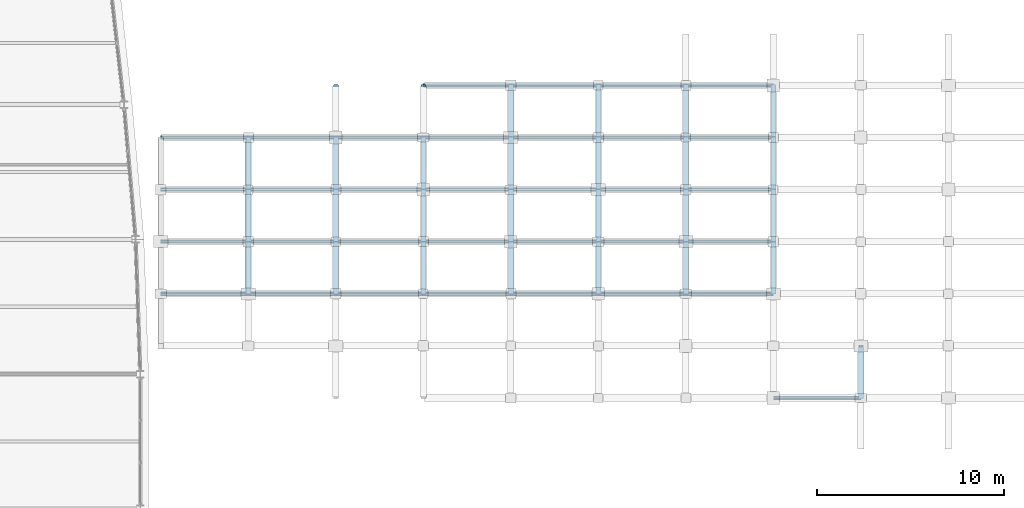
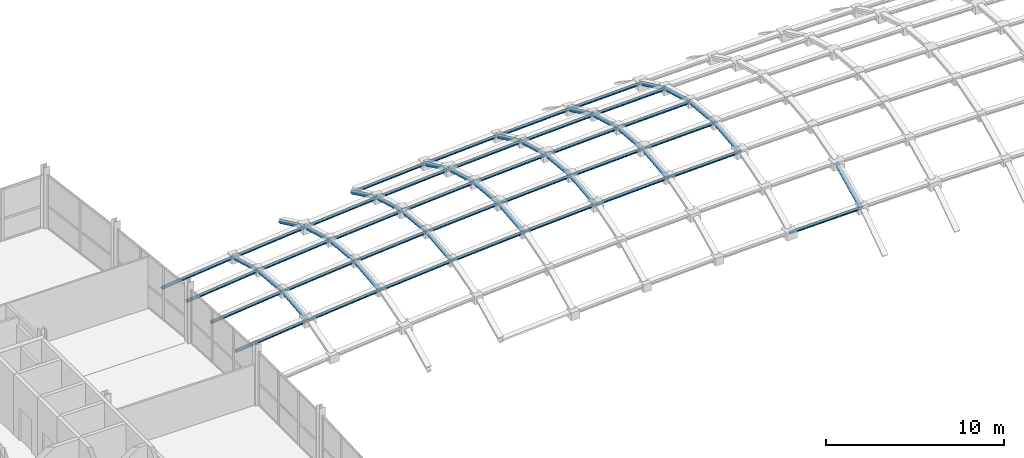
# One storey, part 17 of 36: 33 members, 28 beams.
"""IFC4 building model written with IfcOpenShell, lengths in metres."""

from ifc_helpers import new_model, si_unit, direction, frame, origin, origin_2d, place, context, subcontext, project, spatial, hollow_circle, extrude, material, material_profile, profile_set, type_object, element, save


model = new_model("IFC4")

# Units and contexts
model_context = context("Model", 3, precision=1e-05, world=origin(), true_north=direction((0.0, 1.0)))
body_context = subcontext(model_context, "Body", "Model", "MODEL_VIEW")
ifc_project = project(units=[si_unit("LENGTHUNIT", "METRE"), si_unit("AREAUNIT", "SQUARE_METRE"), si_unit("VOLUMEUNIT", "CUBIC_METRE"), si_unit("PLANEANGLEUNIT", "RADIAN"), si_unit("MASSUNIT", "GRAM", prefix="KILO")], contexts=[model_context])

# Site, building, storey
site_placement = place(None, origin())
site = spatial("IfcSite", under=ifc_project, at=site_placement, CompositionType="ELEMENT")
building_placement = place(site_placement, origin())
building = spatial("IfcBuilding", under=site, at=building_placement, Name="Quillay Park Conservatory", CompositionType="ELEMENT")
storey_placement = place(building_placement, frame((0.0, 0.0, 18.300048828125)))
storey = spatial("IfcBuildingStorey", under=building, at=storey_placement, Name="L04", CompositionType="ELEMENT", Elevation=18.300048828125)

# Beams
ifc_material_1 = material(Name="Steel S355J2H", Category="steel")
ifc_material_profile_1 = material_profile(ifc_material_1, hollow_circle(Radius=0.136474609375, WallThickness=0.012451171875, at=origin_2d()), Name="CHS273x12.5")
ifc_profile_set_1 = profile_set([ifc_material_profile_1], Name="Steel S355J2H")
beam_type = type_object("IfcBeamType", Name="GRIDSHELL ARCH BEAM CHS273", PredefinedType="USERDEFINED", material=ifc_profile_set_1)
beam_1_placement = place(storey_placement, frame((35.327880859375, 96.68994140625, 1.12060546875), z_axis=(0.0, 0.99451309317, 0.104612176701), x_axis=(-1.0, 0.0, 0.0)))
element("IfcBeam", 1, at=beam_1_placement, inside=storey, type_object=beam_type, Name="Gridshell member GS-ARCH-01-04", ObjectType="GRIDSHELL ARCH BEAM", PredefinedType="USERDEFINED", context=body_context, shape_type="SweptSolid", body=[
    extrude(hollow_circle(Radius=0.136474609375, WallThickness=0.012451171875, at=origin_2d()), origin(), (0.0, 0.0, 1.0), 2.800537109375),
])
beam_2_placement = place(storey_placement, frame((35.327880859375, 99.47509765625, 1.41357421875), z_axis=(0.0, 0.996118373088, -0.088023785401), x_axis=(-1.0, 0.0, 0.0)))
element("IfcBeam", 2, at=beam_2_placement, inside=storey, type_object=beam_type, Name="Gridshell member GS-ARCH-01-05", ObjectType="GRIDSHELL ARCH BEAM", PredefinedType="USERDEFINED", context=body_context, shape_type="SweptSolid", body=[
    extrude(hollow_circle(Radius=0.136474609375, WallThickness=0.012451171875, at=origin_2d()), origin(), (0.0, 0.0, 1.0), 2.795654296875),
])
beam_3_placement = place(storey_placement, frame((35.327880859375, 102.260009765625, 1.16748046875), z_axis=(0.0, 0.962831532331, -0.2701026478), x_axis=(-1.0, 0.0, 0.0)))
element("IfcBeam", 3, at=beam_3_placement, inside=storey, type_object=beam_type, Name="Gridshell member GS-ARCH-01-06", ObjectType="GRIDSHELL ARCH BEAM", PredefinedType="USERDEFINED", context=body_context, shape_type="SweptSolid", body=[
    extrude(hollow_circle(Radius=0.136474609375, WallThickness=0.012451171875, at=origin_2d()), origin(), (0.0, 0.0, 1.0), 2.892333984375),
])
beam_4_placement = place(storey_placement, frame((40.005615234375, 96.68994140625, 1.55810546875), z_axis=(0.0, 0.99451309317, 0.104612176701), x_axis=(-1.0, 0.0, 0.0)))
element("IfcBeam", 4, at=beam_4_placement, inside=storey, type_object=beam_type, Name="Gridshell member GS-ARCH-02-04", ObjectType="GRIDSHELL ARCH BEAM", PredefinedType="USERDEFINED", context=body_context, shape_type="SweptSolid", body=[
    extrude(hollow_circle(Radius=0.136474609375, WallThickness=0.012451171875, at=origin_2d()), origin(), (0.0, 0.0, 1.0), 2.800537109375),
])
beam_5_placement = place(storey_placement, frame((40.005615234375, 99.47509765625, 1.85107421875), z_axis=(0.0, 0.996118373088, -0.088023785401), x_axis=(-1.0, 0.0, 0.0)))
element("IfcBeam", 5, at=beam_5_placement, inside=storey, type_object=beam_type, Name="Gridshell member GS-ARCH-02-05", ObjectType="GRIDSHELL ARCH BEAM", PredefinedType="USERDEFINED", context=body_context, shape_type="SweptSolid", body=[
    extrude(hollow_circle(Radius=0.136474609375, WallThickness=0.012451171875, at=origin_2d()), origin(), (0.0, 0.0, 1.0), 2.795654296875),
])
beam_6_placement = place(storey_placement, frame((40.005615234375, 102.260009765625, 1.60498046875), z_axis=(0.0, 0.962831532331, -0.2701026478), x_axis=(-1.0, 0.0, 0.0)))
element("IfcBeam", 6, at=beam_6_placement, inside=storey, type_object=beam_type, Name="Gridshell member GS-ARCH-02-06", ObjectType="GRIDSHELL ARCH BEAM", PredefinedType="USERDEFINED", context=body_context, shape_type="SweptSolid", body=[
    extrude(hollow_circle(Radius=0.136474609375, WallThickness=0.012451171875, at=origin_2d()), origin(), (0.0, 0.0, 1.0), 2.892333984375),
])
beam_7_placement = place(storey_placement, frame((40.005615234375, 105.044921875, 0.82373046875), z_axis=(0.0, 0.903117900184, -0.429392662219), x_axis=(-1.0, 0.0, 0.0)))
element("IfcBeam", 7, at=beam_7_placement, inside=storey, type_object=beam_type, Name="Gridshell member GS-ARCH-02-07", ObjectType="GRIDSHELL ARCH BEAM", PredefinedType="USERDEFINED", context=body_context, shape_type="SweptSolid", body=[
    extrude(hollow_circle(Radius=0.136474609375, WallThickness=0.012451171875, at=origin_2d()), origin(), (0.0, 0.0, 1.0), 3.083984375),
])
beam_8_placement = place(storey_placement, frame((44.683349609375, 96.68994140625, 1.93701171875), z_axis=(0.0, 0.99451309317, 0.104612176701), x_axis=(-1.0, 0.0, 0.0)))
element("IfcBeam", 8, at=beam_8_placement, inside=storey, type_object=beam_type, Name="Gridshell member GS-ARCH-03-04", ObjectType="GRIDSHELL ARCH BEAM", PredefinedType="USERDEFINED", context=body_context, shape_type="SweptSolid", body=[
    extrude(hollow_circle(Radius=0.136474609375, WallThickness=0.012451171875, at=origin_2d()), origin(), (0.0, 0.0, 1.0), 2.800537109375),
])
beam_9_placement = place(storey_placement, frame((44.683349609375, 99.47509765625, 2.22998046875), z_axis=(0.0, 0.996118373088, -0.088023785401), x_axis=(-1.0, 0.0, 0.0)))
element("IfcBeam", 9, at=beam_9_placement, inside=storey, type_object=beam_type, Name="Gridshell member GS-ARCH-03-05", ObjectType="GRIDSHELL ARCH BEAM", PredefinedType="USERDEFINED", context=body_context, shape_type="SweptSolid", body=[
    extrude(hollow_circle(Radius=0.136474609375, WallThickness=0.012451171875, at=origin_2d()), origin(), (0.0, 0.0, 1.0), 2.795654296875),
])
beam_10_placement = place(storey_placement, frame((44.683349609375, 102.260009765625, 1.98388671875), z_axis=(0.0, 0.962831532331, -0.2701026478), x_axis=(-1.0, 0.0, 0.0)))
element("IfcBeam", 10, at=beam_10_placement, inside=storey, type_object=beam_type, Name="Gridshell member GS-ARCH-03-06", ObjectType="GRIDSHELL ARCH BEAM", PredefinedType="USERDEFINED", context=body_context, shape_type="SweptSolid", body=[
    extrude(hollow_circle(Radius=0.136474609375, WallThickness=0.012451171875, at=origin_2d()), origin(), (0.0, 0.0, 1.0), 2.892333984375),
])
beam_11_placement = place(storey_placement, frame((44.683349609375, 105.044921875, 1.20263671875), z_axis=(0.0, 0.903117900184, -0.429392662219), x_axis=(-1.0, 0.0, 0.0)))
element("IfcBeam", 11, at=beam_11_placement, inside=storey, type_object=beam_type, Name="Gridshell member GS-ARCH-03-07", ObjectType="GRIDSHELL ARCH BEAM", PredefinedType="USERDEFINED", context=body_context, shape_type="SweptSolid", body=[
    extrude(hollow_circle(Radius=0.136474609375, WallThickness=0.012451171875, at=origin_2d()), origin(), (0.0, 0.0, 1.0), 3.083984375),
])
beam_12_placement = place(storey_placement, frame((49.361083984375, 96.68994140625, 2.25732421875), z_axis=(0.0, 0.99451309317, 0.104612176701), x_axis=(-1.0, 0.0, 0.0)))
element("IfcBeam", 12, at=beam_12_placement, inside=storey, type_object=beam_type, Name="Gridshell member GS-ARCH-04-04", ObjectType="GRIDSHELL ARCH BEAM", PredefinedType="USERDEFINED", context=body_context, shape_type="SweptSolid", body=[
    extrude(hollow_circle(Radius=0.136474609375, WallThickness=0.012451171875, at=origin_2d()), origin(), (0.0, 0.0, 1.0), 2.800537109375),
])
beam_13_placement = place(storey_placement, frame((49.361083984375, 99.47509765625, 2.55029296875), z_axis=(0.0, 0.996118373088, -0.088023785401), x_axis=(-1.0, 0.0, 0.0)))
element("IfcBeam", 13, at=beam_13_placement, inside=storey, type_object=beam_type, Name="Gridshell member GS-ARCH-04-05", ObjectType="GRIDSHELL ARCH BEAM", PredefinedType="USERDEFINED", context=body_context, shape_type="SweptSolid", body=[
    extrude(hollow_circle(Radius=0.136474609375, WallThickness=0.012451171875, at=origin_2d()), origin(), (0.0, 0.0, 1.0), 2.795654296875),
])
beam_14_placement = place(storey_placement, frame((49.361083984375, 102.260009765625, 2.30419921875), z_axis=(0.0, 0.962831532331, -0.2701026478), x_axis=(-1.0, 0.0, 0.0)))
element("IfcBeam", 14, at=beam_14_placement, inside=storey, type_object=beam_type, Name="Gridshell member GS-ARCH-04-06", ObjectType="GRIDSHELL ARCH BEAM", PredefinedType="USERDEFINED", context=body_context, shape_type="SweptSolid", body=[
    extrude(hollow_circle(Radius=0.136474609375, WallThickness=0.012451171875, at=origin_2d()), origin(), (0.0, 0.0, 1.0), 2.892333984375),
])
beam_15_placement = place(storey_placement, frame((49.361083984375, 105.044921875, 1.52294921875), z_axis=(0.0, 0.903117900184, -0.429392662219), x_axis=(-1.0, 0.0, 0.0)))
element("IfcBeam", 15, at=beam_15_placement, inside=storey, type_object=beam_type, Name="Gridshell member GS-ARCH-04-07", ObjectType="GRIDSHELL ARCH BEAM", PredefinedType="USERDEFINED", context=body_context, shape_type="SweptSolid", body=[
    extrude(hollow_circle(Radius=0.136474609375, WallThickness=0.012451171875, at=origin_2d()), origin(), (0.0, 0.0, 1.0), 3.083984375),
])
beam_16_placement = place(storey_placement, frame((54.038818359375, 96.68994140625, 2.51904296875), z_axis=(0.0, 0.99451309317, 0.104612176701), x_axis=(-1.0, 0.0, 0.0)))
element("IfcBeam", 16, at=beam_16_placement, inside=storey, type_object=beam_type, Name="Gridshell member GS-ARCH-05-04", ObjectType="GRIDSHELL ARCH BEAM", PredefinedType="USERDEFINED", context=body_context, shape_type="SweptSolid", body=[
    extrude(hollow_circle(Radius=0.136474609375, WallThickness=0.012451171875, at=origin_2d()), origin(), (0.0, 0.0, 1.0), 2.800537109375),
])
beam_17_placement = place(storey_placement, frame((54.038818359375, 99.47509765625, 2.81201171875), z_axis=(0.0, 0.996118373088, -0.088023785401), x_axis=(-1.0, 0.0, 0.0)))
element("IfcBeam", 17, at=beam_17_placement, inside=storey, type_object=beam_type, Name="Gridshell member GS-ARCH-05-05", ObjectType="GRIDSHELL ARCH BEAM", PredefinedType="USERDEFINED", context=body_context, shape_type="SweptSolid", body=[
    extrude(hollow_circle(Radius=0.136474609375, WallThickness=0.012451171875, at=origin_2d()), origin(), (0.0, 0.0, 1.0), 2.795654296875),
])
beam_18_placement = place(storey_placement, frame((54.038818359375, 102.260009765625, 2.56591796875), z_axis=(0.0, 0.962831532331, -0.2701026478), x_axis=(-1.0, 0.0, 0.0)))
element("IfcBeam", 18, at=beam_18_placement, inside=storey, type_object=beam_type, Name="Gridshell member GS-ARCH-05-06", ObjectType="GRIDSHELL ARCH BEAM", PredefinedType="USERDEFINED", context=body_context, shape_type="SweptSolid", body=[
    extrude(hollow_circle(Radius=0.136474609375, WallThickness=0.012451171875, at=origin_2d()), origin(), (0.0, 0.0, 1.0), 2.892333984375),
])
beam_19_placement = place(storey_placement, frame((54.038818359375, 105.044921875, 1.78466796875), z_axis=(0.0, 0.903117900184, -0.429392662219), x_axis=(-1.0, 0.0, 0.0)))
element("IfcBeam", 19, at=beam_19_placement, inside=storey, type_object=beam_type, Name="Gridshell member GS-ARCH-05-07", ObjectType="GRIDSHELL ARCH BEAM", PredefinedType="USERDEFINED", context=body_context, shape_type="SweptSolid", body=[
    extrude(hollow_circle(Radius=0.136474609375, WallThickness=0.012451171875, at=origin_2d()), origin(), (0.0, 0.0, 1.0), 3.083984375),
])
beam_20_placement = place(storey_placement, frame((58.716796875, 96.68994140625, 2.72216796875), z_axis=(0.0, 0.99451309317, 0.104612176701), x_axis=(-1.0, 0.0, 0.0)))
element("IfcBeam", 20, at=beam_20_placement, inside=storey, type_object=beam_type, Name="Gridshell member GS-ARCH-06-04", ObjectType="GRIDSHELL ARCH BEAM", PredefinedType="USERDEFINED", context=body_context, shape_type="SweptSolid", body=[
    extrude(hollow_circle(Radius=0.136474609375, WallThickness=0.012451171875, at=origin_2d()), origin(), (0.0, 0.0, 1.0), 2.800537109375),
])
beam_21_placement = place(storey_placement, frame((58.716796875, 99.47509765625, 3.01513671875), z_axis=(0.0, 0.996118373088, -0.088023785401), x_axis=(-1.0, 0.0, 0.0)))
element("IfcBeam", 21, at=beam_21_placement, inside=storey, type_object=beam_type, Name="Gridshell member GS-ARCH-06-05", ObjectType="GRIDSHELL ARCH BEAM", PredefinedType="USERDEFINED", context=body_context, shape_type="SweptSolid", body=[
    extrude(hollow_circle(Radius=0.136474609375, WallThickness=0.012451171875, at=origin_2d()), origin(), (0.0, 0.0, 1.0), 2.795654296875),
])
beam_22_placement = place(storey_placement, frame((58.716796875, 102.260009765625, 2.76904296875), z_axis=(0.0, 0.962831532331, -0.2701026478), x_axis=(-1.0, 0.0, 0.0)))
element("IfcBeam", 22, at=beam_22_placement, inside=storey, type_object=beam_type, Name="Gridshell member GS-ARCH-06-06", ObjectType="GRIDSHELL ARCH BEAM", PredefinedType="USERDEFINED", context=body_context, shape_type="SweptSolid", body=[
    extrude(hollow_circle(Radius=0.136474609375, WallThickness=0.012451171875, at=origin_2d()), origin(), (0.0, 0.0, 1.0), 2.892333984375),
])
beam_23_placement = place(storey_placement, frame((58.716796875, 105.044921875, 1.98779296875), z_axis=(0.0, 0.903117900184, -0.429392662219), x_axis=(-1.0, 0.0, 0.0)))
element("IfcBeam", 23, at=beam_23_placement, inside=storey, type_object=beam_type, Name="Gridshell member GS-ARCH-06-07", ObjectType="GRIDSHELL ARCH BEAM", PredefinedType="USERDEFINED", context=body_context, shape_type="SweptSolid", body=[
    extrude(hollow_circle(Radius=0.136474609375, WallThickness=0.012451171875, at=origin_2d()), origin(), (0.0, 0.0, 1.0), 3.083984375),
])
beam_24_placement = place(storey_placement, frame((63.394287109375, 96.68994140625, 2.87060546875), z_axis=(0.0, 0.99451309317, 0.104612176701), x_axis=(-1.0, 0.0, 0.0)))
element("IfcBeam", 24, at=beam_24_placement, inside=storey, type_object=beam_type, Name="Gridshell member GS-ARCH-07-04", ObjectType="GRIDSHELL ARCH BEAM", PredefinedType="USERDEFINED", context=body_context, shape_type="SweptSolid", body=[
    extrude(hollow_circle(Radius=0.136474609375, WallThickness=0.012451171875, at=origin_2d()), origin(), (0.0, 0.0, 1.0), 2.800537109375),
])
beam_25_placement = place(storey_placement, frame((63.394287109375, 99.47509765625, 3.16357421875), z_axis=(0.0, 0.996118373088, -0.088023785401), x_axis=(-1.0, 0.0, 0.0)))
element("IfcBeam", 25, at=beam_25_placement, inside=storey, type_object=beam_type, Name="Gridshell member GS-ARCH-07-05", ObjectType="GRIDSHELL ARCH BEAM", PredefinedType="USERDEFINED", context=body_context, shape_type="SweptSolid", body=[
    extrude(hollow_circle(Radius=0.136474609375, WallThickness=0.012451171875, at=origin_2d()), origin(), (0.0, 0.0, 1.0), 2.795654296875),
])
beam_26_placement = place(storey_placement, frame((63.394287109375, 102.260009765625, 2.91748046875), z_axis=(0.0, 0.962831532331, -0.2701026478), x_axis=(-1.0, 0.0, 0.0)))
element("IfcBeam", 26, at=beam_26_placement, inside=storey, type_object=beam_type, Name="Gridshell member GS-ARCH-07-06", ObjectType="GRIDSHELL ARCH BEAM", PredefinedType="USERDEFINED", context=body_context, shape_type="SweptSolid", body=[
    extrude(hollow_circle(Radius=0.136474609375, WallThickness=0.012451171875, at=origin_2d()), origin(), (0.0, 0.0, 1.0), 2.892333984375),
])
beam_27_placement = place(storey_placement, frame((63.394287109375, 105.044921875, 2.13623046875), z_axis=(0.0, 0.903117900184, -0.429392662219), x_axis=(-1.0, 0.0, 0.0)))
element("IfcBeam", 27, at=beam_27_placement, inside=storey, type_object=beam_type, Name="Gridshell member GS-ARCH-07-07", ObjectType="GRIDSHELL ARCH BEAM", PredefinedType="USERDEFINED", context=body_context, shape_type="SweptSolid", body=[
    extrude(hollow_circle(Radius=0.136474609375, WallThickness=0.012451171875, at=origin_2d()), origin(), (0.0, 0.0, 1.0), 3.083984375),
])
beam_28_placement = place(storey_placement, frame((68.072265625, 91.1201171875, 0.75341796875), z_axis=(0.0, 0.897163004175, 0.441699608262), x_axis=(-1.0, 0.0, 0.0)))
element("IfcBeam", 28, at=beam_28_placement, inside=storey, type_object=beam_type, Name="Gridshell member GS-ARCH-08-02", ObjectType="GRIDSHELL ARCH BEAM", PredefinedType="USERDEFINED", context=body_context, shape_type="SweptSolid", body=[
    extrude(hollow_circle(Radius=0.136474609375, WallThickness=0.012451171875, at=origin_2d()), origin(), (0.0, 0.0, 1.0), 3.104248046875),
])

# Members
ifc_material_2 = material(Name="Steel S355J2H", Category="steel")
ifc_material_profile_2 = material_profile(ifc_material_2, hollow_circle(Radius=0.109619140625, WallThickness=0.010009765625, at=origin_2d()), Name="CHS219.1x10")
ifc_profile_set_2 = profile_set([ifc_material_profile_2], Name="Steel S355J2H")
member_type = type_object("IfcMemberType", Name="GRIDSHELL ARCH RIB CHS219", PredefinedType="USERDEFINED", material=ifc_profile_set_2)
member_1_placement = place(storey_placement, frame((63.394287109375, 91.1201171875, 0.66748046875), z_axis=(0.999831302331, 0.0, 0.018367549628), x_axis=(0.0, 1.0, 0.0)))
element("IfcMember", 29, at=member_1_placement, inside=storey, type_object=member_type, Name="Gridshell member GS-RIB-07-02", ObjectType="GRIDSHELL ARCH RIB", PredefinedType="USERDEFINED", context=body_context, shape_type="SweptSolid", body=[
    extrude(hollow_circle(Radius=0.109619140625, WallThickness=0.010009765625, at=origin_2d()), origin(), (0.0, 0.0, 1.0), 4.6787109375),
])
member_2_placement = place(storey_placement, frame((30.64990234375, 96.68994140625, 0.62451171875), z_axis=(0.994423821707, 0.0, 0.105457398137), x_axis=(0.0, 1.0, 0.0)))
element("IfcMember", 30, at=member_2_placement, inside=storey, type_object=member_type, Name="Gridshell member GS-RIB-00-04", ObjectType="GRIDSHELL ARCH RIB", PredefinedType="USERDEFINED", context=body_context, shape_type="SweptSolid", body=[
    extrude(hollow_circle(Radius=0.109619140625, WallThickness=0.010009765625, at=origin_2d()), origin(), (0.0, 0.0, 1.0), 4.7041015625),
])
member_3_placement = place(storey_placement, frame((35.327880859375, 96.68994140625, 1.12060546875), z_axis=(0.995654726514, 0.0, 0.093121778179), x_axis=(0.0, 1.0, 0.0)))
element("IfcMember", 31, at=member_3_placement, inside=storey, type_object=member_type, Name="Gridshell member GS-RIB-01-04", ObjectType="GRIDSHELL ARCH RIB", PredefinedType="USERDEFINED", context=body_context, shape_type="SweptSolid", body=[
    extrude(hollow_circle(Radius=0.109619140625, WallThickness=0.010009765625, at=origin_2d()), origin(), (0.0, 0.0, 1.0), 4.6982421875),
])
member_4_placement = place(storey_placement, frame((40.005615234375, 96.68994140625, 1.55810546875), z_axis=(0.996735387311, 0.0, 0.080737647239), x_axis=(0.0, 1.0, 0.0)))
element("IfcMember", 32, at=member_4_placement, inside=storey, type_object=member_type, Name="Gridshell member GS-RIB-02-04", ObjectType="GRIDSHELL ARCH RIB", PredefinedType="USERDEFINED", context=body_context, shape_type="SweptSolid", body=[
    extrude(hollow_circle(Radius=0.109619140625, WallThickness=0.010009765625, at=origin_2d()), origin(), (0.0, 0.0, 1.0), 4.693115234375),
])
member_5_placement = place(storey_placement, frame((44.683349609375, 96.68994140625, 1.93701171875), z_axis=(0.997663732084, 0.0, 0.068316013387), x_axis=(0.0, 1.0, 0.0)))
element("IfcMember", 33, at=member_5_placement, inside=storey, type_object=member_type, Name="Gridshell member GS-RIB-03-04", ObjectType="GRIDSHELL ARCH RIB", PredefinedType="USERDEFINED", context=body_context, shape_type="SweptSolid", body=[
    extrude(hollow_circle(Radius=0.109619140625, WallThickness=0.010009765625, at=origin_2d()), origin(), (0.0, 0.0, 1.0), 4.688720703125),
])
member_6_placement = place(storey_placement, frame((49.361083984375, 96.68994140625, 2.25732421875), z_axis=(0.998438469785, 0.0, 0.055862528163), x_axis=(0.0, 1.0, 0.0)))
element("IfcMember", 34, at=member_6_placement, inside=storey, type_object=member_type, Name="Gridshell member GS-RIB-04-04", ObjectType="GRIDSHELL ARCH RIB", PredefinedType="USERDEFINED", context=body_context, shape_type="SweptSolid", body=[
    extrude(hollow_circle(Radius=0.109619140625, WallThickness=0.010009765625, at=origin_2d()), origin(), (0.0, 0.0, 1.0), 4.68505859375),
])
member_7_placement = place(storey_placement, frame((54.038818359375, 96.68994140625, 2.51904296875), z_axis=(0.999058616198, 0.0, 0.043380656995), x_axis=(0.0, 1.0, 0.0)))
element("IfcMember", 35, at=member_7_placement, inside=storey, type_object=member_type, Name="Gridshell member GS-RIB-05-04", ObjectType="GRIDSHELL ARCH RIB", PredefinedType="USERDEFINED", context=body_context, shape_type="SweptSolid", body=[
    extrude(hollow_circle(Radius=0.109619140625, WallThickness=0.010009765625, at=origin_2d()), origin(), (0.0, 0.0, 1.0), 4.682373046875),
])
member_8_placement = place(storey_placement, frame((58.716796875, 96.68994140625, 2.72216796875), z_axis=(0.99949684289, 0.0, 0.031718465498), x_axis=(0.0, 1.0, 0.0)))
element("IfcMember", 36, at=member_8_placement, inside=storey, type_object=member_type, Name="Gridshell member GS-RIB-06-04", ObjectType="GRIDSHELL ARCH RIB", PredefinedType="USERDEFINED", context=body_context, shape_type="SweptSolid", body=[
    extrude(hollow_circle(Radius=0.109619140625, WallThickness=0.010009765625, at=origin_2d()), origin(), (0.0, 0.0, 1.0), 4.679931640625),
])
member_9_placement = place(storey_placement, frame((30.64990234375, 99.47509765625, 0.91748046875), z_axis=(0.994423821707, 0.0, 0.105457398137), x_axis=(0.0, 1.0, 0.0)))
element("IfcMember", 37, at=member_9_placement, inside=storey, type_object=member_type, Name="Gridshell member GS-RIB-00-05", ObjectType="GRIDSHELL ARCH RIB", PredefinedType="USERDEFINED", context=body_context, shape_type="SweptSolid", body=[
    extrude(hollow_circle(Radius=0.109619140625, WallThickness=0.010009765625, at=origin_2d()), origin(), (0.0, 0.0, 1.0), 4.7041015625),
])
member_10_placement = place(storey_placement, frame((35.327880859375, 99.47509765625, 1.41357421875), z_axis=(0.995654726514, 0.0, 0.093121778179), x_axis=(0.0, 1.0, 0.0)))
element("IfcMember", 38, at=member_10_placement, inside=storey, type_object=member_type, Name="Gridshell member GS-RIB-01-05", ObjectType="GRIDSHELL ARCH RIB", PredefinedType="USERDEFINED", context=body_context, shape_type="SweptSolid", body=[
    extrude(hollow_circle(Radius=0.109619140625, WallThickness=0.010009765625, at=origin_2d()), origin(), (0.0, 0.0, 1.0), 4.6982421875),
])
member_11_placement = place(storey_placement, frame((40.005615234375, 99.47509765625, 1.85107421875), z_axis=(0.996735387311, 0.0, 0.080737647239), x_axis=(0.0, 1.0, 0.0)))
element("IfcMember", 39, at=member_11_placement, inside=storey, type_object=member_type, Name="Gridshell member GS-RIB-02-05", ObjectType="GRIDSHELL ARCH RIB", PredefinedType="USERDEFINED", context=body_context, shape_type="SweptSolid", body=[
    extrude(hollow_circle(Radius=0.109619140625, WallThickness=0.010009765625, at=origin_2d()), origin(), (0.0, 0.0, 1.0), 4.693115234375),
])
member_12_placement = place(storey_placement, frame((44.683349609375, 99.47509765625, 2.22998046875), z_axis=(0.997663732084, 0.0, 0.068316013387), x_axis=(0.0, 1.0, 0.0)))
element("IfcMember", 40, at=member_12_placement, inside=storey, type_object=member_type, Name="Gridshell member GS-RIB-03-05", ObjectType="GRIDSHELL ARCH RIB", PredefinedType="USERDEFINED", context=body_context, shape_type="SweptSolid", body=[
    extrude(hollow_circle(Radius=0.109619140625, WallThickness=0.010009765625, at=origin_2d()), origin(), (0.0, 0.0, 1.0), 4.688720703125),
])
member_13_placement = place(storey_placement, frame((49.361083984375, 99.47509765625, 2.55029296875), z_axis=(0.998438469785, 0.0, 0.055862528163), x_axis=(0.0, 1.0, 0.0)))
element("IfcMember", 41, at=member_13_placement, inside=storey, type_object=member_type, Name="Gridshell member GS-RIB-04-05", ObjectType="GRIDSHELL ARCH RIB", PredefinedType="USERDEFINED", context=body_context, shape_type="SweptSolid", body=[
    extrude(hollow_circle(Radius=0.109619140625, WallThickness=0.010009765625, at=origin_2d()), origin(), (0.0, 0.0, 1.0), 4.68505859375),
])
member_14_placement = place(storey_placement, frame((54.038818359375, 99.47509765625, 2.81201171875), z_axis=(0.999058616198, 0.0, 0.043380656995), x_axis=(0.0, 1.0, 0.0)))
element("IfcMember", 42, at=member_14_placement, inside=storey, type_object=member_type, Name="Gridshell member GS-RIB-05-05", ObjectType="GRIDSHELL ARCH RIB", PredefinedType="USERDEFINED", context=body_context, shape_type="SweptSolid", body=[
    extrude(hollow_circle(Radius=0.109619140625, WallThickness=0.010009765625, at=origin_2d()), origin(), (0.0, 0.0, 1.0), 4.682373046875),
])
member_15_placement = place(storey_placement, frame((58.716796875, 99.47509765625, 3.01513671875), z_axis=(0.99949684289, 0.0, 0.031718465498), x_axis=(0.0, 1.0, 0.0)))
element("IfcMember", 43, at=member_15_placement, inside=storey, type_object=member_type, Name="Gridshell member GS-RIB-06-05", ObjectType="GRIDSHELL ARCH RIB", PredefinedType="USERDEFINED", context=body_context, shape_type="SweptSolid", body=[
    extrude(hollow_circle(Radius=0.109619140625, WallThickness=0.010009765625, at=origin_2d()), origin(), (0.0, 0.0, 1.0), 4.679931640625),
])
member_16_placement = place(storey_placement, frame((30.64990234375, 102.260009765625, 0.67138671875), z_axis=(0.994423821707, 0.0, 0.105457398137), x_axis=(0.0, 1.0, 0.0)))
element("IfcMember", 44, at=member_16_placement, inside=storey, type_object=member_type, Name="Gridshell member GS-RIB-00-06", ObjectType="GRIDSHELL ARCH RIB", PredefinedType="USERDEFINED", context=body_context, shape_type="SweptSolid", body=[
    extrude(hollow_circle(Radius=0.109619140625, WallThickness=0.010009765625, at=origin_2d()), origin(), (0.0, 0.0, 1.0), 4.7041015625),
])
member_17_placement = place(storey_placement, frame((35.327880859375, 102.260009765625, 1.16748046875), z_axis=(0.995654726514, 0.0, 0.093121778179), x_axis=(0.0, 1.0, 0.0)))
element("IfcMember", 45, at=member_17_placement, inside=storey, type_object=member_type, Name="Gridshell member GS-RIB-01-06", ObjectType="GRIDSHELL ARCH RIB", PredefinedType="USERDEFINED", context=body_context, shape_type="SweptSolid", body=[
    extrude(hollow_circle(Radius=0.109619140625, WallThickness=0.010009765625, at=origin_2d()), origin(), (0.0, 0.0, 1.0), 4.6982421875),
])
member_18_placement = place(storey_placement, frame((40.005615234375, 102.260009765625, 1.60498046875), z_axis=(0.996735387311, 0.0, 0.080737647239), x_axis=(0.0, 1.0, 0.0)))
element("IfcMember", 46, at=member_18_placement, inside=storey, type_object=member_type, Name="Gridshell member GS-RIB-02-06", ObjectType="GRIDSHELL ARCH RIB", PredefinedType="USERDEFINED", context=body_context, shape_type="SweptSolid", body=[
    extrude(hollow_circle(Radius=0.109619140625, WallThickness=0.010009765625, at=origin_2d()), origin(), (0.0, 0.0, 1.0), 4.693115234375),
])
member_19_placement = place(storey_placement, frame((44.683349609375, 102.260009765625, 1.98388671875), z_axis=(0.997663732084, 0.0, 0.068316013387), x_axis=(0.0, 1.0, 0.0)))
element("IfcMember", 47, at=member_19_placement, inside=storey, type_object=member_type, Name="Gridshell member GS-RIB-03-06", ObjectType="GRIDSHELL ARCH RIB", PredefinedType="USERDEFINED", context=body_context, shape_type="SweptSolid", body=[
    extrude(hollow_circle(Radius=0.109619140625, WallThickness=0.010009765625, at=origin_2d()), origin(), (0.0, 0.0, 1.0), 4.688720703125),
])
member_20_placement = place(storey_placement, frame((49.361083984375, 102.260009765625, 2.30419921875), z_axis=(0.998438469785, 0.0, 0.055862528163), x_axis=(0.0, 1.0, 0.0)))
element("IfcMember", 48, at=member_20_placement, inside=storey, type_object=member_type, Name="Gridshell member GS-RIB-04-06", ObjectType="GRIDSHELL ARCH RIB", PredefinedType="USERDEFINED", context=body_context, shape_type="SweptSolid", body=[
    extrude(hollow_circle(Radius=0.109619140625, WallThickness=0.010009765625, at=origin_2d()), origin(), (0.0, 0.0, 1.0), 4.68505859375),
])
member_21_placement = place(storey_placement, frame((54.038818359375, 102.260009765625, 2.56591796875), z_axis=(0.999058616198, 0.0, 0.043380656995), x_axis=(0.0, 1.0, 0.0)))
element("IfcMember", 49, at=member_21_placement, inside=storey, type_object=member_type, Name="Gridshell member GS-RIB-05-06", ObjectType="GRIDSHELL ARCH RIB", PredefinedType="USERDEFINED", context=body_context, shape_type="SweptSolid", body=[
    extrude(hollow_circle(Radius=0.109619140625, WallThickness=0.010009765625, at=origin_2d()), origin(), (0.0, 0.0, 1.0), 4.682373046875),
])
member_22_placement = place(storey_placement, frame((58.716796875, 102.260009765625, 2.76904296875), z_axis=(0.99949684289, 0.0, 0.031718465498), x_axis=(0.0, 1.0, 0.0)))
element("IfcMember", 50, at=member_22_placement, inside=storey, type_object=member_type, Name="Gridshell member GS-RIB-06-06", ObjectType="GRIDSHELL ARCH RIB", PredefinedType="USERDEFINED", context=body_context, shape_type="SweptSolid", body=[
    extrude(hollow_circle(Radius=0.109619140625, WallThickness=0.010009765625, at=origin_2d()), origin(), (0.0, 0.0, 1.0), 4.679931640625),
])
member_23_placement = place(storey_placement, frame((30.64990234375, 105.044921875, -0.10986328125), z_axis=(0.994423821707, 0.0, 0.105457398137), x_axis=(0.0, 1.0, 0.0)))
element("IfcMember", 51, at=member_23_placement, inside=storey, type_object=member_type, Name="Gridshell member GS-RIB-00-07", ObjectType="GRIDSHELL ARCH RIB", PredefinedType="USERDEFINED", context=body_context, shape_type="SweptSolid", body=[
    extrude(hollow_circle(Radius=0.109619140625, WallThickness=0.010009765625, at=origin_2d()), origin(), (0.0, 0.0, 1.0), 4.7041015625),
])
member_24_placement = place(storey_placement, frame((35.327880859375, 105.044921875, 0.38623046875), z_axis=(0.995654726514, 0.0, 0.093121778179), x_axis=(0.0, 1.0, 0.0)))
element("IfcMember", 52, at=member_24_placement, inside=storey, type_object=member_type, Name="Gridshell member GS-RIB-01-07", ObjectType="GRIDSHELL ARCH RIB", PredefinedType="USERDEFINED", context=body_context, shape_type="SweptSolid", body=[
    extrude(hollow_circle(Radius=0.109619140625, WallThickness=0.010009765625, at=origin_2d()), origin(), (0.0, 0.0, 1.0), 4.6982421875),
])
member_25_placement = place(storey_placement, frame((40.005615234375, 105.044921875, 0.82373046875), z_axis=(0.996735387311, 0.0, 0.080737647239), x_axis=(0.0, 1.0, 0.0)))
element("IfcMember", 53, at=member_25_placement, inside=storey, type_object=member_type, Name="Gridshell member GS-RIB-02-07", ObjectType="GRIDSHELL ARCH RIB", PredefinedType="USERDEFINED", context=body_context, shape_type="SweptSolid", body=[
    extrude(hollow_circle(Radius=0.109619140625, WallThickness=0.010009765625, at=origin_2d()), origin(), (0.0, 0.0, 1.0), 4.693115234375),
])
member_26_placement = place(storey_placement, frame((44.683349609375, 105.044921875, 1.20263671875), z_axis=(0.997663732084, 0.0, 0.068316013387), x_axis=(0.0, 1.0, 0.0)))
element("IfcMember", 54, at=member_26_placement, inside=storey, type_object=member_type, Name="Gridshell member GS-RIB-03-07", ObjectType="GRIDSHELL ARCH RIB", PredefinedType="USERDEFINED", context=body_context, shape_type="SweptSolid", body=[
    extrude(hollow_circle(Radius=0.109619140625, WallThickness=0.010009765625, at=origin_2d()), origin(), (0.0, 0.0, 1.0), 4.688720703125),
])
member_27_placement = place(storey_placement, frame((49.361083984375, 105.044921875, 1.52294921875), z_axis=(0.998438469785, 0.0, 0.055862528163), x_axis=(0.0, 1.0, 0.0)))
element("IfcMember", 55, at=member_27_placement, inside=storey, type_object=member_type, Name="Gridshell member GS-RIB-04-07", ObjectType="GRIDSHELL ARCH RIB", PredefinedType="USERDEFINED", context=body_context, shape_type="SweptSolid", body=[
    extrude(hollow_circle(Radius=0.109619140625, WallThickness=0.010009765625, at=origin_2d()), origin(), (0.0, 0.0, 1.0), 4.68505859375),
])
member_28_placement = place(storey_placement, frame((54.038818359375, 105.044921875, 1.78466796875), z_axis=(0.999058616198, 0.0, 0.043380656995), x_axis=(0.0, 1.0, 0.0)))
element("IfcMember", 56, at=member_28_placement, inside=storey, type_object=member_type, Name="Gridshell member GS-RIB-05-07", ObjectType="GRIDSHELL ARCH RIB", PredefinedType="USERDEFINED", context=body_context, shape_type="SweptSolid", body=[
    extrude(hollow_circle(Radius=0.109619140625, WallThickness=0.010009765625, at=origin_2d()), origin(), (0.0, 0.0, 1.0), 4.682373046875),
])
member_29_placement = place(storey_placement, frame((58.716796875, 105.044921875, 1.98779296875), z_axis=(0.99949684289, 0.0, 0.031718465498), x_axis=(0.0, 1.0, 0.0)))
element("IfcMember", 57, at=member_29_placement, inside=storey, type_object=member_type, Name="Gridshell member GS-RIB-06-07", ObjectType="GRIDSHELL ARCH RIB", PredefinedType="USERDEFINED", context=body_context, shape_type="SweptSolid", body=[
    extrude(hollow_circle(Radius=0.109619140625, WallThickness=0.010009765625, at=origin_2d()), origin(), (0.0, 0.0, 1.0), 4.679931640625),
])
member_30_placement = place(storey_placement, frame((44.683349609375, 107.830078125, -0.12158203125), z_axis=(0.997663732084, 0.0, 0.068316013387), x_axis=(0.0, 1.0, 0.0)))
element("IfcMember", 58, at=member_30_placement, inside=storey, type_object=member_type, Name="Gridshell member GS-RIB-03-08", ObjectType="GRIDSHELL ARCH RIB", PredefinedType="USERDEFINED", context=body_context, shape_type="SweptSolid", body=[
    extrude(hollow_circle(Radius=0.109619140625, WallThickness=0.010009765625, at=origin_2d()), origin(), (0.0, 0.0, 1.0), 4.688720703125),
])
member_31_placement = place(storey_placement, frame((49.361083984375, 107.830078125, 0.19873046875), z_axis=(0.998438469785, 0.0, 0.055862528163), x_axis=(0.0, 1.0, 0.0)))
element("IfcMember", 59, at=member_31_placement, inside=storey, type_object=member_type, Name="Gridshell member GS-RIB-04-08", ObjectType="GRIDSHELL ARCH RIB", PredefinedType="USERDEFINED", context=body_context, shape_type="SweptSolid", body=[
    extrude(hollow_circle(Radius=0.109619140625, WallThickness=0.010009765625, at=origin_2d()), origin(), (0.0, 0.0, 1.0), 4.68505859375),
])
member_32_placement = place(storey_placement, frame((54.038818359375, 107.830078125, 0.46044921875), z_axis=(0.999058616198, 0.0, 0.043380656995), x_axis=(0.0, 1.0, 0.0)))
element("IfcMember", 60, at=member_32_placement, inside=storey, type_object=member_type, Name="Gridshell member GS-RIB-05-08", ObjectType="GRIDSHELL ARCH RIB", PredefinedType="USERDEFINED", context=body_context, shape_type="SweptSolid", body=[
    extrude(hollow_circle(Radius=0.109619140625, WallThickness=0.010009765625, at=origin_2d()), origin(), (0.0, 0.0, 1.0), 4.682373046875),
])
member_33_placement = place(storey_placement, frame((58.716796875, 107.830078125, 0.66357421875), z_axis=(0.99949684289, 0.0, 0.031718465498), x_axis=(0.0, 1.0, 0.0)))
element("IfcMember", 61, at=member_33_placement, inside=storey, type_object=member_type, Name="Gridshell member GS-RIB-06-08", ObjectType="GRIDSHELL ARCH RIB", PredefinedType="USERDEFINED", context=body_context, shape_type="SweptSolid", body=[
    extrude(hollow_circle(Radius=0.109619140625, WallThickness=0.010009765625, at=origin_2d()), origin(), (0.0, 0.0, 1.0), 4.679931640625),
])

save(model, "model.ifc")
